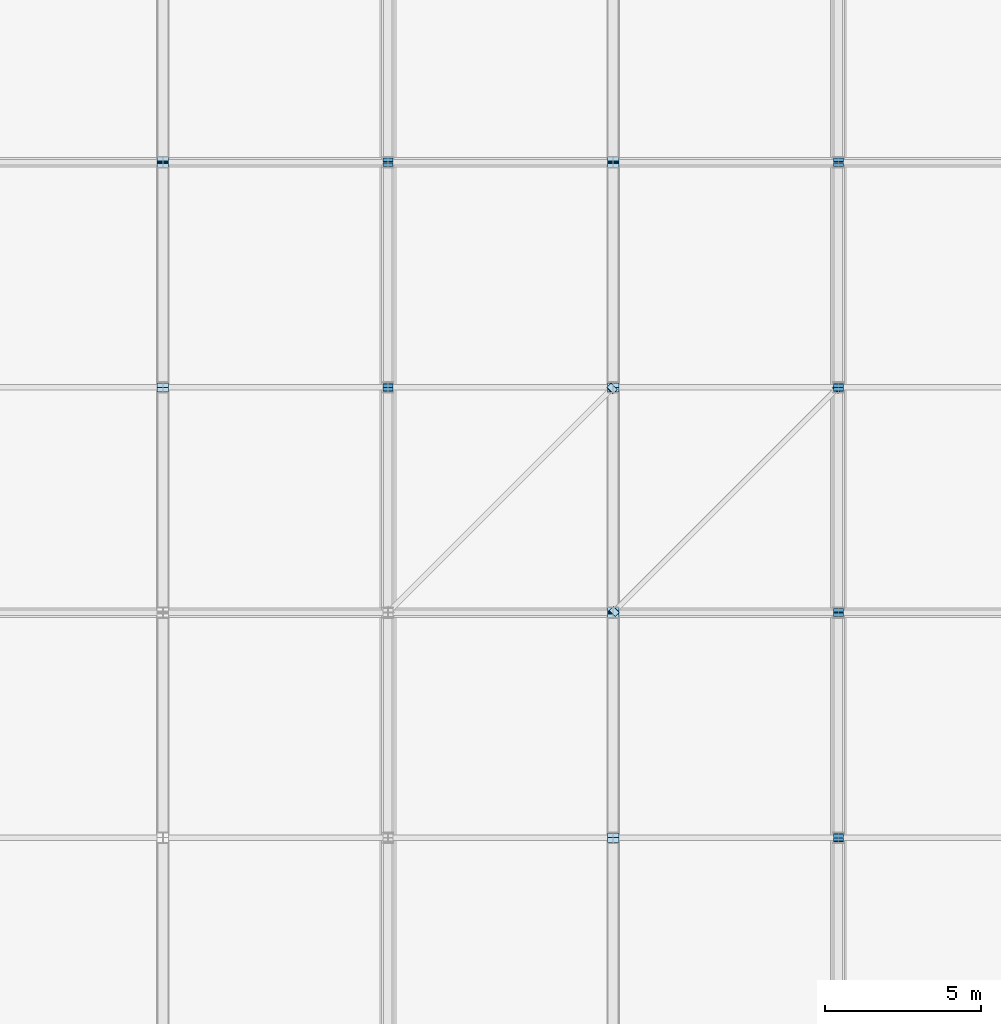
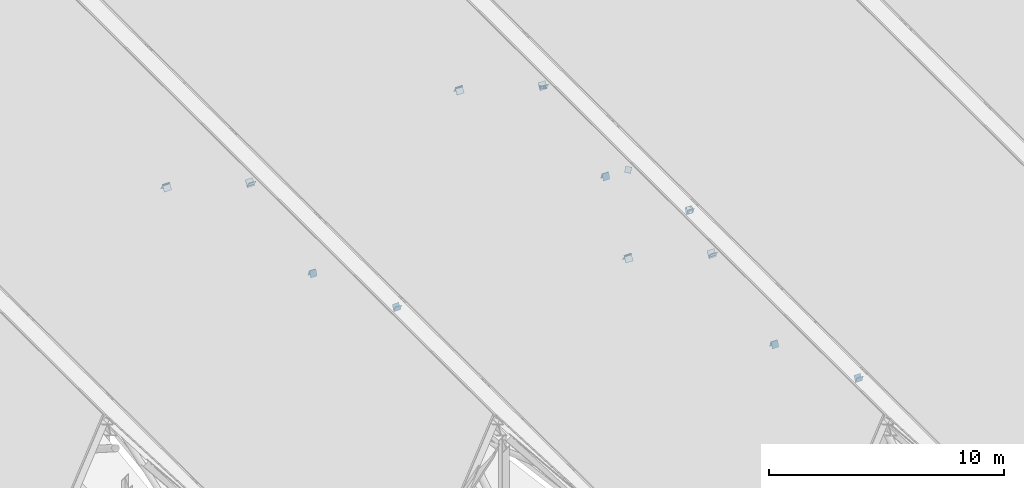
# One storey, part 47 of 60: 27 plates.
"""IFC4 building model written with IfcOpenShell, lengths in metres."""

import ifcopenshell
import ifcopenshell.guid

model = None  # the IFC model being written
_history = None  # IfcOwnerHistory: only IFC2X3 demands one
_inside = {}  # id of a spatial element -> (the spatial element, [elements in it])
_under = {}  # id of a project, library or spatial element -> (it, [spatial elements below it])
_declared = {}  # id of a project -> (the project, [libraries it declares])
_typed = {}  # id of a type object -> (the type object, [elements of that type])
_made_of = {}  # id of a material, layer set ... -> (it, [elements and type objects made of it])


def new_model(schema):
    """Start an empty IFC model of exactly this schema.

    Asked for "IFC4X3", IfcOpenShell would pick the latest addendum, in which some entities
    have other attributes; the version numbers below select the first issue.
    IFC2X3 requires an IfcOwnerHistory on every rooted entity: one is made here for all.
    """
    global model, _history
    if schema == "IFC4X3":
        model = ifcopenshell.file(schema_version=(4, 3, 0, 0))
    else:
        model = ifcopenshell.file(schema=schema)
    _inside.clear()
    _under.clear()
    _declared.clear()
    _typed.clear()
    _made_of.clear()
    _history = None
    if model.schema == "IFC2X3":
        org = make("IfcOrganization", Name="unknown")
        user = make(
            "IfcPersonAndOrganization",
            ThePerson=make("IfcPerson", FamilyName="unknown"),
            TheOrganization=org,
        )
        app = make(
            "IfcApplication",
            ApplicationDeveloper=org,
            Version="unknown",
            ApplicationFullName="unknown",
            ApplicationIdentifier="unknown",
        )
        _history = make(
            "IfcOwnerHistory",
            OwningUser=user,
            OwningApplication=app,
            ChangeAction="ADDED",
            CreationDate=0,
        )
    return model


def make(cls, **values):
    """One entity of the class cls with the attributes given. An attribute that is None is left unset."""
    return model.create_entity(
        cls, **{name: value for name, value in values.items() if value is not None}
    )


def rooted(cls, **values):
    """An entity with a GlobalId (a new one), such as an element, a storey or a relation."""
    return make(cls, GlobalId=ifcopenshell.guid.new(), OwnerHistory=_history, **values)


def si_unit(unit_type, name, prefix=None):
    """IfcSIUnit, for example si_unit("LENGTHUNIT", "METRE", prefix="MILLI")."""
    return make("IfcSIUnit", UnitType=unit_type, Prefix=prefix, Name=name)


def assignment(units):
    """IfcUnitAssignment: the units of a project."""
    return None if units is None else make("IfcUnitAssignment", Units=units)


def point(xyz):
    """IfcCartesianPoint."""
    return None if xyz is None else make("IfcCartesianPoint", Coordinates=xyz)


def direction(xyz):
    """IfcDirection."""
    return None if xyz is None else make("IfcDirection", DirectionRatios=xyz)


def frame(location, z_axis=None, x_axis=None):
    """IfcAxis2Placement3D, a coordinate frame: its origin and axes. An axis left out is left unset."""
    return make(
        "IfcAxis2Placement3D",
        Location=point(location),
        Axis=direction(z_axis),
        RefDirection=direction(x_axis),
    )


def frame_2d(location, x_axis=None):
    """IfcAxis2Placement2D, a coordinate frame in the plane: its origin and x axis."""
    return make(
        "IfcAxis2Placement2D", Location=point(location), RefDirection=direction(x_axis)
    )


def origin():
    """The frame at (0, 0, 0) with its axes left unset."""
    return frame((0.0, 0.0, 0.0))


def origin_2d():
    """The frame at (0, 0) in the plane with its x axis left unset."""
    return frame_2d((0.0, 0.0))


def place(relative_to, where):
    """IfcLocalPlacement: puts the frame where relative to a parent placement (None: the world)."""
    return make(
        "IfcLocalPlacement", PlacementRelTo=relative_to, RelativePlacement=where
    )


def context(
    kind, dimensions, precision=None, world=None, true_north=None, identifier=None
):
    """IfcGeometricRepresentationContext, for example the 3D "Model" context."""
    return make(
        "IfcGeometricRepresentationContext",
        ContextIdentifier=identifier,
        ContextType=kind,
        CoordinateSpaceDimension=dimensions,
        Precision=precision,
        WorldCoordinateSystem=world,
        TrueNorth=true_north,
    )


def subcontext(parent, identifier, kind, view, scale=None):
    """IfcGeometricRepresentationSubContext, for example "Body" below "Model"."""
    return make(
        "IfcGeometricRepresentationSubContext",
        ContextIdentifier=identifier,
        ContextType=kind,
        ParentContext=parent,
        TargetScale=scale,
        TargetView=view,
    )


def project(units=None, contexts=None):
    """IfcProject with its units and contexts."""
    return rooted(
        "IfcProject",
        Name="project",
        RepresentationContexts=contexts,
        UnitsInContext=assignment(units),
    )


def spatial(cls, under=None, at=None, **own):
    """A site, building, storey or space (cls), placed at a placement, below another one or the project."""
    s = rooted(cls, ObjectPlacement=at, **own)
    if under is not None:
        _under.setdefault(under.id(), (under, []))[1].append(s)
    return s


def profile(cls, at=None, kind="AREA", **sizes):
    """A parametric profile (cls). Its sizes go by their IFC names, for example OverallWidth=200.0."""
    return make(cls, ProfileType=kind, Position=at, **sizes)


def rectangle(**sizes):
    """IfcRectangleProfileDef."""
    return profile("IfcRectangleProfileDef", **sizes)


def extrude(swept, where, along, depth):
    """IfcExtrudedAreaSolid: the profile swept, set in the frame where, extruded along a direction by depth."""
    return make(
        "IfcExtrudedAreaSolid",
        SweptArea=swept,
        Position=where,
        ExtrudedDirection=direction(along),
        Depth=depth,
    )


def shape(context_of_items, identifier, shape_type, items):
    """IfcShapeRepresentation: the items that make up one representation, for example the "Body"."""
    return make(
        "IfcShapeRepresentation",
        ContextOfItems=context_of_items,
        RepresentationIdentifier=identifier,
        RepresentationType=shape_type,
        Items=items,
    )


def material(Name=None, Category=None):
    """IfcMaterial."""
    return make("IfcMaterial", Name=Name, Category=Category)


def layer(
    of_material, thickness, ventilated=None, Name=None, Category=None, Priority=None
):
    """IfcMaterialLayer: one layer of a wall or slab, of a material (None: an air gap)."""
    return make(
        "IfcMaterialLayer",
        Material=of_material,
        LayerThickness=thickness,
        IsVentilated=ventilated,
        Name=Name,
        Category=Category,
        Priority=Priority,
    )


def layer_set(layers, Name=None):
    """IfcMaterialLayerSet."""
    return make("IfcMaterialLayerSet", MaterialLayers=layers, LayerSetName=Name)


def made_of(thing, what):
    """Note that an element or type object is made of a material, layer set ...; save() writes the relation."""
    if what is not None:
        _made_of.setdefault(what.id(), (what, []))[1].append(thing)
    return thing


def type_object(cls, material=None, **own):
    """A type object (cls), such as IfcWallType, which elements share."""
    return made_of(rooted(cls, **own), material)


def element(
    cls,
    number,
    at=None,
    inside=None,
    cuts=None,
    type_object=None,
    material=None,
    context=None,
    identifier="Body",
    shape_type=None,
    held_by="IfcProductDefinitionShape",
    body=None,
    shapes=None,
    **own,
):
    """One element of the class cls, such as IfcWall. Its Tag is "e" and its number.

    at: its placement. inside: the storey or other place that contains it. cuts: it is an
    opening in that element (IfcRelVoidsElement). A single representation is given by context,
    identifier, shape_type and body (its items); several are given by shapes. held_by: the class
    of the entity that holds the representations. save() writes the other relations.
    """
    e = rooted(cls, Tag="e%d" % number, ObjectPlacement=at, **own)
    if body is not None:
        shapes = [shape(context, identifier, shape_type, body)]
    if shapes is not None:
        e.Representation = make(held_by, Representations=shapes)
    if inside is not None:
        _inside.setdefault(inside.id(), (inside, []))[1].append(e)
    if cuts is not None:
        rooted(
            "IfcRelVoidsElement", RelatingBuildingElement=cuts, RelatedOpeningElement=e
        )
    if type_object is not None:
        _typed.setdefault(type_object.id(), (type_object, []))[1].append(e)
    return made_of(e, material)


def aggregate(whole, parts):
    """IfcRelAggregates: a whole, such as a stair, and the parts it consists of."""
    return rooted("IfcRelAggregates", RelatingObject=whole, RelatedObjects=parts)


def save(model, path):
    """Write the relations noted so far, then the file.

    IfcRelAggregates (storeys below a building ...), IfcRelContainedInSpatialStructure (elements
    in a storey), IfcRelDefinesByType, IfcRelAssociatesMaterial and IfcRelDeclares: one each for
    every whole, place, type object, material and project.
    """
    for whole, parts in _under.values():
        aggregate(whole, parts)
    for where, things in _inside.values():
        rooted(
            "IfcRelContainedInSpatialStructure",
            RelatedElements=things,
            RelatingStructure=where,
        )
    for kind, things in _typed.values():
        rooted("IfcRelDefinesByType", RelatedObjects=things, RelatingType=kind)
    for what, things in _made_of.values():
        rooted("IfcRelAssociatesMaterial", RelatedObjects=things, RelatingMaterial=what)
    for by, libraries in _declared.values():
        rooted("IfcRelDeclares", RelatingContext=by, RelatedDefinitions=libraries)
    model.write(path)


model = new_model("IFC4")

# Units and contexts
model_context = context("Model", 3, precision=1e-05, world=origin(), true_north=direction((0.0, 1.0)))
body_context = subcontext(model_context, "Body", "Model", "MODEL_VIEW")
ifc_project = project(units=[si_unit("LENGTHUNIT", "METRE"), si_unit("AREAUNIT", "SQUARE_METRE"), si_unit("VOLUMEUNIT", "CUBIC_METRE"), si_unit("PLANEANGLEUNIT", "RADIAN"), si_unit("MASSUNIT", "GRAM", prefix="KILO")], contexts=[model_context])

# Site, building, storey
site_placement = place(None, origin())
site = spatial("IfcSite", under=ifc_project, at=site_placement, CompositionType="ELEMENT")
building_placement = place(site_placement, origin())
building = spatial("IfcBuilding", under=site, at=building_placement, Name="Vesperath Aquatics Centre", CompositionType="ELEMENT")
storey_placement = place(building_placement, frame((0.0, 0.0, 27.60009765625)))
storey = spatial("IfcBuildingStorey", under=building, at=storey_placement, Name="RF", CompositionType="ELEMENT", Elevation=27.60009765625)

# Plates
ifc_material = material(Name="Steel Q355D", Category="steel")
ifc_layer_1 = layer(ifc_material, 0.02001953125)
ifc_layer_set_1 = layer_set([ifc_layer_1], Name="Steel Q355D")
plate_type_1 = type_object("IfcPlateType", Name="PT-TN01", PredefinedType="SHEET", material=ifc_layer_set_1)
for number, where, z_axis, x_axis, name in (
    (1, (36.0, 50.33251953125, -0.84326171875), (0.0, 0.842696259913, 0.538389276944), (-1.0, 0.0, 0.0), "Truss Node Cap Plate TN01"),
    (2, (36.0, 50.450439453125, -0.83251953125), (0.0, 0.842696259913, -0.538389276944), (-1.0, 0.0, 0.0), "Truss Node Cap Plate TN01"),
    (3, (36.0, 57.532470703125, -5.35693359375), (0.0, 0.842696259913, -0.538389276944), (-1.0, 0.0, 0.0), "Truss Node Cap Plate TN01"),
    (4, (36.0, 57.650390625, -5.36767578125), (0.0, 0.842696259913, 0.538389276944), (-1.0, 0.0, 0.0), "Truss Node Cap Plate TN01"),
    (5, (50.39990234375, 35.932373046875, -0.84326171875), (0.0, 0.842696259913, 0.538389276944), (-1.0, 0.0, 0.0), "Truss Node Cap Plate TN01"),
    (6, (50.39990234375, 36.050537109375, -0.83251953125), (0.0, 0.842696259913, -0.538389276944), (-1.0, 0.0, 0.0), "Truss Node Cap Plate TN01"),
    (7, (50.39990234375, 43.132568359375, -5.35693359375), (0.0, 0.842696259913, -0.538389276944), (-1.0, 0.0, 0.0), "Truss Node Cap Plate TN01"),
    (8, (50.39990234375, 43.25048828125, -5.36767578125), (0.0, 0.842696259913, 0.538389276944), (-1.0, 0.0, 0.0), "Truss Node Cap Plate TN01"),
    (9, (50.39990234375, 50.33251953125, -0.84326171875), (0.0, 0.842696259913, 0.538389276944), (-1.0, 0.0, 0.0), "Truss Node Cap Plate TN01"),
    (10, (50.39990234375, 50.450439453125, -0.83251953125), (0.0, 0.842696259913, -0.538389276944), (-1.0, 0.0, 0.0), "Truss Node Cap Plate TN01"),
    (11, (50.39990234375, 57.532470703125, -5.35693359375), (0.0, 0.842696259913, -0.538389276944), (-1.0, 0.0, 0.0), "Truss Node Cap Plate TN01"),
    (12, (50.39990234375, 57.650390625, -5.36767578125), (0.0, 0.842696259913, 0.538389276944), (-1.0, 0.0, 0.0), "Truss Node Cap Plate TN01"),
):
    element("IfcPlate", number, at=place(storey_placement, frame(where, z_axis=z_axis, x_axis=x_axis)), inside=storey, type_object=plate_type_1, Name=name, PredefinedType="SHEET", context=body_context, shape_type="SweptSolid", body=[
        extrude(rectangle(XDim=0.360107421875, YDim=0.360107421875, at=origin_2d()), origin(), (0.0, 0.0, 1.0), 0.02001953125),
    ])
ifc_layer_2 = layer(ifc_material, 0.02001953125)
ifc_layer_set_2 = layer_set([ifc_layer_2], Name="Steel Q355D")
plate_type_2 = type_object("IfcPlateType", Name="PT-TN02", PredefinedType="SHEET", material=ifc_layer_set_2)
for number, where, z_axis, x_axis, name in (
    (13, (43.199951171875, 50.32470703125, -9.827392578125), (0.0, 0.940553899656, 0.339644463876), (-1.0, 0.0, 0.0), "Truss Node Cap Plate TN02"),
    (14, (43.199951171875, 50.456298828125, -9.820556640625), (0.0, 0.940553899656, -0.339644463876), (-1.0, 0.0, 0.0), "Truss Node Cap Plate TN02"),
    (15, (43.199951171875, 57.524658203125, -12.372802734375), (0.0, 0.940553899656, -0.339644463876), (-1.0, 0.0, 0.0), "Truss Node Cap Plate TN02"),
    (16, (43.199951171875, 57.65625, -12.379638671875), (0.0, 0.940553899656, 0.339644463876), (-1.0, 0.0, 0.0), "Truss Node Cap Plate TN02"),
    (17, (57.60009765625, 35.924560546875, -9.827392578125), (0.0, 0.940553899656, 0.339644463876), (-1.0, 0.0, 0.0), "Truss Node Cap Plate TN02"),
    (18, (57.60009765625, 36.056396484375, -9.820556640625), (0.0, 0.940553899656, -0.339644463876), (-1.0, 0.0, 0.0), "Truss Node Cap Plate TN02"),
    (19, (57.60009765625, 43.124755859375, -12.372802734375), (0.0, 0.940553899656, -0.339644463876), (-1.0, 0.0, 0.0), "Truss Node Cap Plate TN02"),
    (20, (57.60009765625, 43.25634765625, -12.379638671875), (0.0, 0.940553899656, 0.339644463876), (-1.0, 0.0, 0.0), "Truss Node Cap Plate TN02"),
    (21, (57.60009765625, 50.32470703125, -9.827392578125), (0.0, 0.940553899656, 0.339644463876), (-1.0, 0.0, 0.0), "Truss Node Cap Plate TN02"),
    (22, (57.60009765625, 50.456298828125, -9.820556640625), (0.0, 0.940553899656, -0.339644463876), (-1.0, 0.0, 0.0), "Truss Node Cap Plate TN02"),
    (23, (57.60009765625, 57.524658203125, -12.372802734375), (0.0, 0.940553899656, -0.339644463876), (-1.0, 0.0, 0.0), "Truss Node Cap Plate TN02"),
    (24, (57.60009765625, 57.65625, -12.379638671875), (0.0, 0.940553899656, 0.339644463876), (-1.0, 0.0, 0.0), "Truss Node Cap Plate TN02"),
):
    element("IfcPlate", number, at=place(storey_placement, frame(where, z_axis=z_axis, x_axis=x_axis)), inside=storey, type_object=plate_type_2, Name=name, PredefinedType="SHEET", context=body_context, shape_type="SweptSolid", body=[
        extrude(rectangle(XDim=0.320068359375, YDim=0.320068359375, at=origin_2d()), origin(), (0.0, 0.0, 1.0), 0.02001953125),
    ])
ifc_layer_3 = layer(ifc_material, 0.01806640625)
ifc_layer_set_3 = layer_set([ifc_layer_3], Name="Steel Q355D")
plate_type_3 = type_object("IfcPlateType", Name="PT-TN03", PredefinedType="SHEET", material=ifc_layer_set_3)
for number, where, z_axis, x_axis, name in (
    (25, (50.357421875, 50.357421875, -0.853271484375), (0.529812942738, 0.529812942738, 0.662266178673), (-0.707106781187, 0.707106781187, 0.0), "Truss Node Cap Plate TN03"),
    (26, (50.4326171875, 43.232666015625, -0.841064453125), (0.529812942738, 0.529812942738, -0.662266178673), (-0.707106781187, 0.707106781187, 0.0), "Truss Node Cap Plate TN03"),
    (27, (57.5576171875, 50.357421875, -9.7470703125), (0.529812942738, 0.529812942738, -0.662266178673), (-0.707106781187, 0.707106781187, 0.0), "Truss Node Cap Plate TN03"),
):
    element("IfcPlate", number, at=place(storey_placement, frame(where, z_axis=z_axis, x_axis=x_axis)), inside=storey, type_object=plate_type_3, Name=name, PredefinedType="SHEET", context=body_context, shape_type="SweptSolid", body=[
        extrude(rectangle(XDim=0.280029296875, YDim=0.280029296875, at=origin_2d()), origin(), (0.0, 0.0, 1.0), 0.01806640625),
    ])

save(model, "model.ifc")
